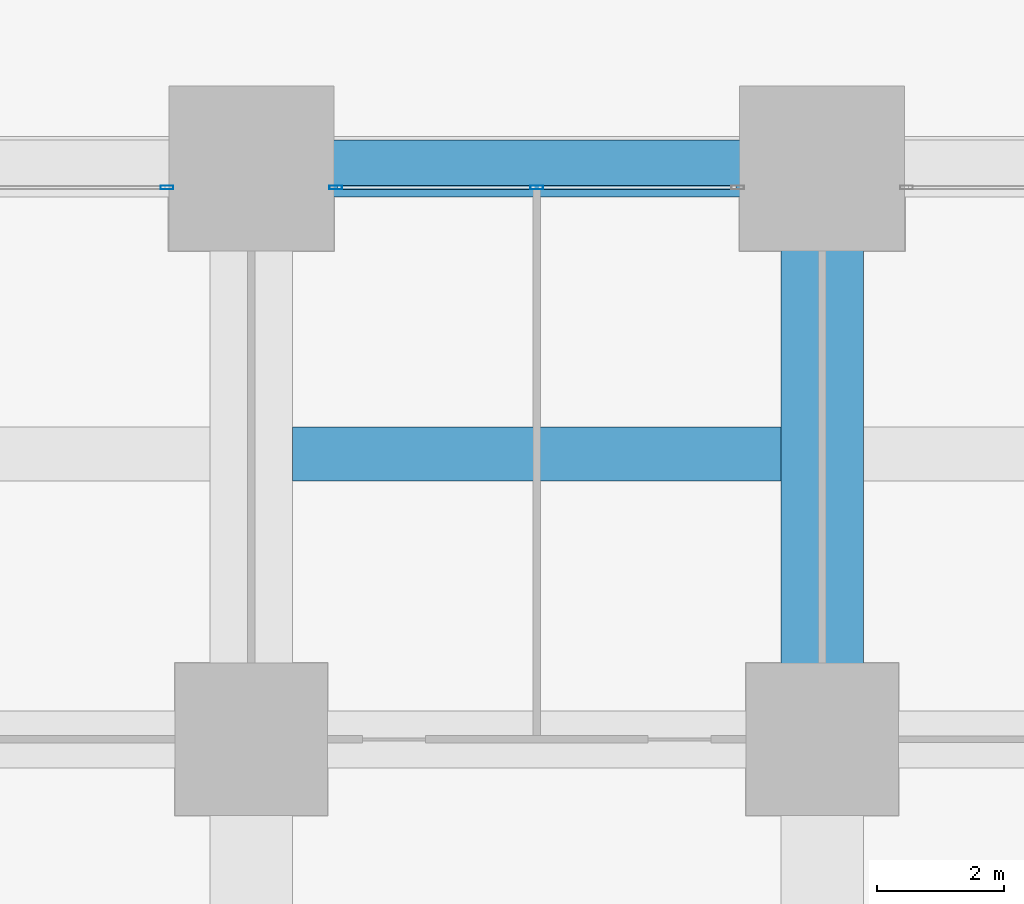
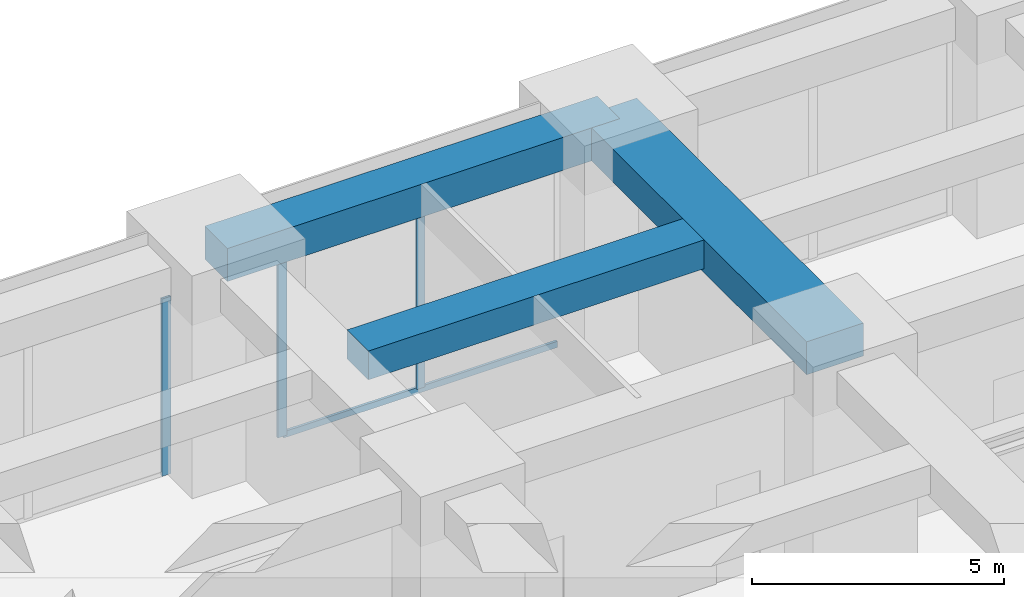
# One storey, part 23 of 56: 4 members, 3 beams, 2 elements without a shape of their own.
"""IFC4 building model written with IfcOpenShell, lengths in metres."""

import ifcopenshell
import ifcopenshell.guid

model = None  # the IFC model being written
_history = None  # IfcOwnerHistory: only IFC2X3 demands one
_inside = {}  # id of a spatial element -> (the spatial element, [elements in it])
_under = {}  # id of a project, library or spatial element -> (it, [spatial elements below it])
_declared = {}  # id of a project -> (the project, [libraries it declares])
_typed = {}  # id of a type object -> (the type object, [elements of that type])
_made_of = {}  # id of a material, layer set ... -> (it, [elements and type objects made of it])


def new_model(schema):
    """Start an empty IFC model of exactly this schema.

    Asked for "IFC4X3", IfcOpenShell would pick the latest addendum, in which some entities
    have other attributes; the version numbers below select the first issue.
    IFC2X3 requires an IfcOwnerHistory on every rooted entity: one is made here for all.
    """
    global model, _history
    if schema == "IFC4X3":
        model = ifcopenshell.file(schema_version=(4, 3, 0, 0))
    else:
        model = ifcopenshell.file(schema=schema)
    _inside.clear()
    _under.clear()
    _declared.clear()
    _typed.clear()
    _made_of.clear()
    _history = None
    if model.schema == "IFC2X3":
        org = make("IfcOrganization", Name="unknown")
        user = make(
            "IfcPersonAndOrganization",
            ThePerson=make("IfcPerson", FamilyName="unknown"),
            TheOrganization=org,
        )
        app = make(
            "IfcApplication",
            ApplicationDeveloper=org,
            Version="unknown",
            ApplicationFullName="unknown",
            ApplicationIdentifier="unknown",
        )
        _history = make(
            "IfcOwnerHistory",
            OwningUser=user,
            OwningApplication=app,
            ChangeAction="ADDED",
            CreationDate=0,
        )
    return model


def make(cls, **values):
    """One entity of the class cls with the attributes given. An attribute that is None is left unset."""
    return model.create_entity(
        cls, **{name: value for name, value in values.items() if value is not None}
    )


def rooted(cls, **values):
    """An entity with a GlobalId (a new one), such as an element, a storey or a relation."""
    return make(cls, GlobalId=ifcopenshell.guid.new(), OwnerHistory=_history, **values)


def si_unit(unit_type, name, prefix=None):
    """IfcSIUnit, for example si_unit("LENGTHUNIT", "METRE", prefix="MILLI")."""
    return make("IfcSIUnit", UnitType=unit_type, Prefix=prefix, Name=name)


def assignment(units):
    """IfcUnitAssignment: the units of a project."""
    return None if units is None else make("IfcUnitAssignment", Units=units)


def point(xyz):
    """IfcCartesianPoint."""
    return None if xyz is None else make("IfcCartesianPoint", Coordinates=xyz)


def direction(xyz):
    """IfcDirection."""
    return None if xyz is None else make("IfcDirection", DirectionRatios=xyz)


def frame(location, z_axis=None, x_axis=None):
    """IfcAxis2Placement3D, a coordinate frame: its origin and axes. An axis left out is left unset."""
    return make(
        "IfcAxis2Placement3D",
        Location=point(location),
        Axis=direction(z_axis),
        RefDirection=direction(x_axis),
    )


def frame_2d(location, x_axis=None):
    """IfcAxis2Placement2D, a coordinate frame in the plane: its origin and x axis."""
    return make(
        "IfcAxis2Placement2D", Location=point(location), RefDirection=direction(x_axis)
    )


def origin():
    """The frame at (0, 0, 0) with its axes left unset."""
    return frame((0.0, 0.0, 0.0))


def origin_2d():
    """The frame at (0, 0) in the plane with its x axis left unset."""
    return frame_2d((0.0, 0.0))


def place(relative_to, where):
    """IfcLocalPlacement: puts the frame where relative to a parent placement (None: the world)."""
    return make(
        "IfcLocalPlacement", PlacementRelTo=relative_to, RelativePlacement=where
    )


def context(
    kind, dimensions, precision=None, world=None, true_north=None, identifier=None
):
    """IfcGeometricRepresentationContext, for example the 3D "Model" context."""
    return make(
        "IfcGeometricRepresentationContext",
        ContextIdentifier=identifier,
        ContextType=kind,
        CoordinateSpaceDimension=dimensions,
        Precision=precision,
        WorldCoordinateSystem=world,
        TrueNorth=true_north,
    )


def subcontext(parent, identifier, kind, view, scale=None):
    """IfcGeometricRepresentationSubContext, for example "Body" below "Model"."""
    return make(
        "IfcGeometricRepresentationSubContext",
        ContextIdentifier=identifier,
        ContextType=kind,
        ParentContext=parent,
        TargetScale=scale,
        TargetView=view,
    )


def project(units=None, contexts=None):
    """IfcProject with its units and contexts."""
    return rooted(
        "IfcProject",
        Name="project",
        RepresentationContexts=contexts,
        UnitsInContext=assignment(units),
    )


def spatial(cls, under=None, at=None, **own):
    """A site, building, storey or space (cls), placed at a placement, below another one or the project."""
    s = rooted(cls, ObjectPlacement=at, **own)
    if under is not None:
        _under.setdefault(under.id(), (under, []))[1].append(s)
    return s


def profile(cls, at=None, kind="AREA", **sizes):
    """A parametric profile (cls). Its sizes go by their IFC names, for example OverallWidth=200.0."""
    return make(cls, ProfileType=kind, Position=at, **sizes)


def rectangle(**sizes):
    """IfcRectangleProfileDef."""
    return profile("IfcRectangleProfileDef", **sizes)


def hollow_rectangle(**sizes):
    """IfcRectangleHollowProfileDef."""
    return profile("IfcRectangleHollowProfileDef", **sizes)


def extrude(swept, where, along, depth):
    """IfcExtrudedAreaSolid: the profile swept, set in the frame where, extruded along a direction by depth."""
    return make(
        "IfcExtrudedAreaSolid",
        SweptArea=swept,
        Position=where,
        ExtrudedDirection=direction(along),
        Depth=depth,
    )


def shape(context_of_items, identifier, shape_type, items):
    """IfcShapeRepresentation: the items that make up one representation, for example the "Body"."""
    return make(
        "IfcShapeRepresentation",
        ContextOfItems=context_of_items,
        RepresentationIdentifier=identifier,
        RepresentationType=shape_type,
        Items=items,
    )


def material(Name=None, Category=None):
    """IfcMaterial."""
    return make("IfcMaterial", Name=Name, Category=Category)


def material_profile(
    of_material, cross_section, Name=None, Category=None, Priority=None
):
    """IfcMaterialProfile: a cross section and its material."""
    return make(
        "IfcMaterialProfile",
        Name=Name,
        Material=of_material,
        Profile=cross_section,
        Priority=Priority,
        Category=Category,
    )


def profile_set(profiles, Name=None, composite=None):
    """IfcMaterialProfileSet."""
    return make(
        "IfcMaterialProfileSet",
        Name=Name,
        MaterialProfiles=profiles,
        CompositeProfile=composite,
    )


def made_of(thing, what):
    """Note that an element or type object is made of a material, layer set ...; save() writes the relation."""
    if what is not None:
        _made_of.setdefault(what.id(), (what, []))[1].append(thing)
    return thing


def type_object(cls, material=None, **own):
    """A type object (cls), such as IfcWallType, which elements share."""
    return made_of(rooted(cls, **own), material)


def element(
    cls,
    number,
    at=None,
    inside=None,
    cuts=None,
    type_object=None,
    material=None,
    context=None,
    identifier="Body",
    shape_type=None,
    held_by="IfcProductDefinitionShape",
    body=None,
    shapes=None,
    **own,
):
    """One element of the class cls, such as IfcWall. Its Tag is "e" and its number.

    at: its placement. inside: the storey or other place that contains it. cuts: it is an
    opening in that element (IfcRelVoidsElement). A single representation is given by context,
    identifier, shape_type and body (its items); several are given by shapes. held_by: the class
    of the entity that holds the representations. save() writes the other relations.
    """
    e = rooted(cls, Tag="e%d" % number, ObjectPlacement=at, **own)
    if body is not None:
        shapes = [shape(context, identifier, shape_type, body)]
    if shapes is not None:
        e.Representation = make(held_by, Representations=shapes)
    if inside is not None:
        _inside.setdefault(inside.id(), (inside, []))[1].append(e)
    if cuts is not None:
        rooted(
            "IfcRelVoidsElement", RelatingBuildingElement=cuts, RelatedOpeningElement=e
        )
    if type_object is not None:
        _typed.setdefault(type_object.id(), (type_object, []))[1].append(e)
    return made_of(e, material)


def aggregate(whole, parts):
    """IfcRelAggregates: a whole, such as a stair, and the parts it consists of."""
    return rooted("IfcRelAggregates", RelatingObject=whole, RelatedObjects=parts)


def save(model, path):
    """Write the relations noted so far, then the file.

    IfcRelAggregates (storeys below a building ...), IfcRelContainedInSpatialStructure (elements
    in a storey), IfcRelDefinesByType, IfcRelAssociatesMaterial and IfcRelDeclares: one each for
    every whole, place, type object, material and project.
    """
    for whole, parts in _under.values():
        aggregate(whole, parts)
    for where, things in _inside.values():
        rooted(
            "IfcRelContainedInSpatialStructure",
            RelatedElements=things,
            RelatingStructure=where,
        )
    for kind, things in _typed.values():
        rooted("IfcRelDefinesByType", RelatedObjects=things, RelatingType=kind)
    for what, things in _made_of.values():
        rooted("IfcRelAssociatesMaterial", RelatedObjects=things, RelatingMaterial=what)
    for by, libraries in _declared.values():
        rooted("IfcRelDeclares", RelatingContext=by, RelatedDefinitions=libraries)
    model.write(path)


model = new_model("IFC4")

# Units and contexts
model_context = context("Model", 3, precision=1e-05, world=origin(), true_north=direction((0.0, 1.0)))
body_context = subcontext(model_context, "Body", "Model", "MODEL_VIEW")
ifc_project = project(units=[si_unit("LENGTHUNIT", "METRE"), si_unit("AREAUNIT", "SQUARE_METRE"), si_unit("VOLUMEUNIT", "CUBIC_METRE"), si_unit("PLANEANGLEUNIT", "RADIAN"), si_unit("MASSUNIT", "GRAM", prefix="KILO")], contexts=[model_context])

# Site, building, storey
site_placement = place(None, origin())
site = spatial("IfcSite", under=ifc_project, at=site_placement, CompositionType="ELEMENT")
building_placement = place(site_placement, origin())
building = spatial("IfcBuilding", under=site, at=building_placement, Name="Zorevar Civic Tower", CompositionType="ELEMENT")
storey_placement = place(building_placement, origin())
storey = spatial("IfcBuildingStorey", under=building, at=storey_placement, Name="L00", CompositionType="ELEMENT", Elevation=0.0)

# Beams
ifc_material_1 = material(Name="Concrete C50/60", Category="concrete")
ifc_material_profile_1 = material_profile(ifc_material_1, rectangle(XDim=1.300048828125, YDim=0.800048828125, at=origin_2d()), Name="RC 1300x800")
ifc_profile_set_1 = profile_set([ifc_material_profile_1], Name="Concrete C50/60")
beam_type_1 = type_object("IfcBeamType", Name="Beam RC 1300x800", PredefinedType="BEAM", material=ifc_profile_set_1)
beam_1_placement = place(storey_placement, frame((18.0, 45.0, 4.699951171875), z_axis=(0.0, 1.0, 0.0), x_axis=(-1.0, 0.0, 0.0)))
element("IfcBeam", 1, at=beam_1_placement, inside=storey, type_object=beam_type_1, Name="Girder L01", PredefinedType="BEAM", context=body_context, shape_type="SweptSolid", body=[
    extrude(rectangle(XDim=1.300048828125, YDim=0.800048828125, at=origin_2d()), origin(), (0.0, 0.0, 1.0), 9.0),
])
ifc_material_2 = material(Name="Concrete C50/60", Category="concrete")
ifc_material_profile_2 = material_profile(ifc_material_2, rectangle(XDim=0.85009765625, YDim=0.699951171875, at=origin_2d()), Name="RC 850x700")
ifc_profile_set_2 = profile_set([ifc_material_profile_2], Name="Concrete C50/60")
beam_type_2 = type_object("IfcBeamType", Name="Beam RC 850x700", PredefinedType="BEAM", material=ifc_profile_set_2)
beam_2_placement = place(storey_placement, frame((9.64990234375, 49.5, 4.75), z_axis=(1.0, 0.0, 0.0), x_axis=(0.0, 1.0, 0.0)))
element("IfcBeam", 2, at=beam_2_placement, inside=storey, type_object=beam_type_2, Name="Secondary beam L01", PredefinedType="BEAM", context=body_context, shape_type="SweptSolid", body=[
    extrude(rectangle(XDim=0.85009765625, YDim=0.699951171875, at=origin_2d()), origin(), (0.0, 0.0, 1.0), 7.7001953125),
])

# Curtain wall, member
ifc_material_3 = material(Name="Dark grey solar-control glass in black aluminium frame", Category="aluminium")
curtain_wall_type = type_object("IfcCurtainWallType", Name="Curtain wall CW1 podium", PredefinedType="NOTDEFINED", material=ifc_material_3)
curtain_wall_1_placement = place(storey_placement, origin())
curtain_wall_1 = element("IfcCurtainWall", 3, at=curtain_wall_1_placement, inside=storey, type_object=curtain_wall_type, Name="CW1 L00", PredefinedType="NOTDEFINED")
ifc_material_4 = material(Name="Aluminium, black anodised", Category="aluminium")
ifc_material_profile_3 = material_profile(ifc_material_4, hollow_rectangle(XDim=0.06005859375, YDim=0.199951171875, WallThickness=0.00390625, at=origin_2d()), Name="AL 200x60x4")
ifc_profile_set_3 = profile_set([ifc_material_profile_3], Name="Aluminium, black anodised")
member_type_1 = type_object("IfcMemberType", Name="CW1 mullion AL 200x60x4", PredefinedType="MULLION", material=ifc_profile_set_3)
member_1_placement = place(storey_placement, frame((7.669921875, 53.699951171875, 0.0), z_axis=(0.0, 0.0, 1.0), x_axis=(0.0, 1.0, 0.0)))
member_1 = element("IfcMember", 4, at=member_1_placement, type_object=member_type_1, Name="CW1 mullion 3", PredefinedType="MULLION", context=body_context, shape_type="SweptSolid", body=[
    extrude(hollow_rectangle(XDim=0.06005859375, YDim=0.199951171875, WallThickness=0.00390625, at=origin_2d()), origin(), (0.0, 0.0, 1.0), 4.300048828125),
])
aggregate(curtain_wall_1, [member_1])

# Curtain wall, members
curtain_wall_2_placement = place(storey_placement, origin())
curtain_wall_2 = element("IfcCurtainWall", 5, at=curtain_wall_2_placement, inside=storey, type_object=curtain_wall_type, Name="CW1 L00", PredefinedType="NOTDEFINED")
member_2_placement = place(storey_placement, frame((10.330078125, 53.699951171875, 0.0), z_axis=(0.0, 0.0, 1.0), x_axis=(0.0, 1.0, 0.0)))
member_2 = element("IfcMember", 6, at=member_2_placement, type_object=member_type_1, Name="CW1 mullion 1", PredefinedType="MULLION", context=body_context, shape_type="SweptSolid", body=[
    extrude(hollow_rectangle(XDim=0.06005859375, YDim=0.199951171875, WallThickness=0.00390625, at=origin_2d()), origin(), (0.0, 0.0, 1.0), 4.300048828125),
])
member_3_placement = place(storey_placement, frame((13.5, 53.699951171875, 0.06005859375), z_axis=(0.0, 0.0, 1.0), x_axis=(0.0, 1.0, 0.0)))
member_3 = element("IfcMember", 7, at=member_3_placement, type_object=member_type_1, Name="CW1 mullion 2", PredefinedType="MULLION", context=body_context, shape_type="SweptSolid", body=[
    extrude(hollow_rectangle(XDim=0.06005859375, YDim=0.199951171875, WallThickness=0.00390625, at=origin_2d()), origin(), (0.0, 0.0, 1.0), 4.239990234375),
])
ifc_material_5 = material(Name="Aluminium, black anodised", Category="aluminium")
ifc_material_profile_4 = material_profile(ifc_material_5, hollow_rectangle(XDim=0.06005859375, YDim=0.14990234375, WallThickness=0.00390625, at=origin_2d()), Name="AL 150x60x4")
ifc_profile_set_4 = profile_set([ifc_material_profile_4], Name="Aluminium, black anodised")
member_type_2 = type_object("IfcMemberType", Name="CW1 transom AL 150x60x4", PredefinedType="USERDEFINED", material=ifc_profile_set_4)
member_4_placement = place(storey_placement, frame((10.360107421875, 53.699951171875, 0.030029296875), z_axis=(1.0, 0.0, 0.0), x_axis=(0.0, 1.0, 0.0)))
member_4 = element("IfcMember", 8, at=member_4_placement, type_object=member_type_2, Name="CW1 sill transom", ObjectType="TRANSOM", PredefinedType="USERDEFINED", context=body_context, shape_type="SweptSolid", body=[
    extrude(hollow_rectangle(XDim=0.06005859375, YDim=0.14990234375, WallThickness=0.00390625, at=origin_2d()), origin(), (0.0, 0.0, 1.0), 6.27978515625),
])
aggregate(curtain_wall_2, [member_2, member_3, member_4])

# Beam
ifc_material_6 = material(Name="Concrete C50/60", Category="concrete")
ifc_material_profile_5 = material_profile(ifc_material_6, rectangle(XDim=0.89990234375, YDim=0.800048828125, at=origin_2d()), Name="RC 900x800")
ifc_profile_set_5 = profile_set([ifc_material_profile_5], Name="Concrete C50/60")
beam_type_3 = type_object("IfcBeamType", Name="Edge beam RC 900x800", PredefinedType="SPANDREL", material=ifc_profile_set_5)
beam_3_placement = place(storey_placement, frame((9.0, 54.0, 4.699951171875), z_axis=(1.0, 0.0, 0.0), x_axis=(0.0, 1.0, 0.0)))
element("IfcBeam", 9, at=beam_3_placement, inside=storey, type_object=beam_type_3, Name="Edge beam L01", PredefinedType="SPANDREL", context=body_context, shape_type="SweptSolid", body=[
    extrude(rectangle(XDim=0.89990234375, YDim=0.800048828125, at=origin_2d()), origin(), (0.0, 0.0, 1.0), 9.0),
])

save(model, "model.ifc")
